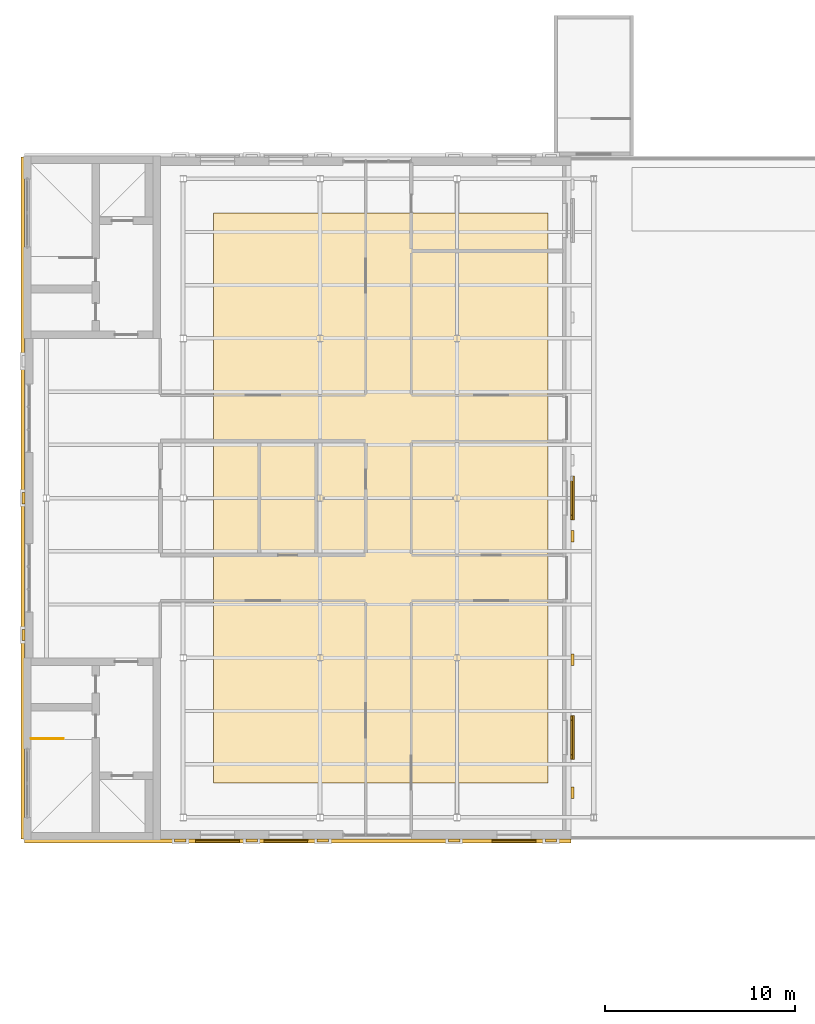
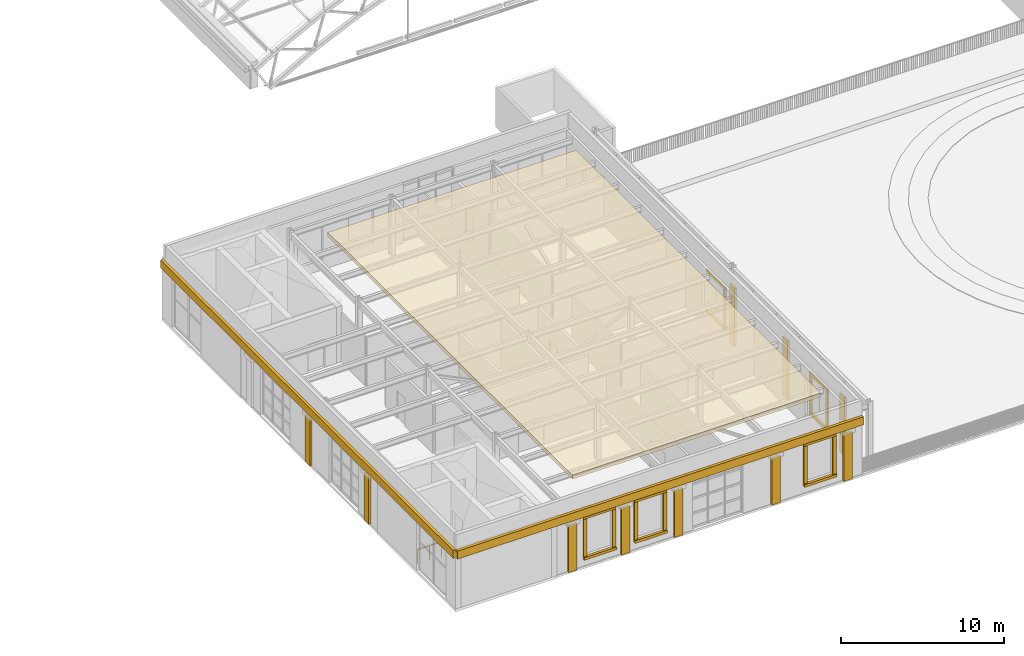
# One storey, part 119 of 127: 32 coverings, 1 railing.
"""IFC4 building model written with IfcOpenShell, lengths in metres."""

import ifcopenshell
import ifcopenshell.guid

model = None  # the IFC model being written
_history = None  # IfcOwnerHistory: only IFC2X3 demands one
_inside = {}  # id of a spatial element -> (the spatial element, [elements in it])
_under = {}  # id of a project, library or spatial element -> (it, [spatial elements below it])
_declared = {}  # id of a project -> (the project, [libraries it declares])
_typed = {}  # id of a type object -> (the type object, [elements of that type])
_made_of = {}  # id of a material, layer set ... -> (it, [elements and type objects made of it])


def new_model(schema):
    """Start an empty IFC model of exactly this schema.

    Asked for "IFC4X3", IfcOpenShell would pick the latest addendum, in which some entities
    have other attributes; the version numbers below select the first issue.
    IFC2X3 requires an IfcOwnerHistory on every rooted entity: one is made here for all.
    """
    global model, _history
    if schema == "IFC4X3":
        model = ifcopenshell.file(schema_version=(4, 3, 0, 0))
    else:
        model = ifcopenshell.file(schema=schema)
    _inside.clear()
    _under.clear()
    _declared.clear()
    _typed.clear()
    _made_of.clear()
    _history = None
    if model.schema == "IFC2X3":
        org = make("IfcOrganization", Name="unknown")
        user = make(
            "IfcPersonAndOrganization",
            ThePerson=make("IfcPerson", FamilyName="unknown"),
            TheOrganization=org,
        )
        app = make(
            "IfcApplication",
            ApplicationDeveloper=org,
            Version="unknown",
            ApplicationFullName="unknown",
            ApplicationIdentifier="unknown",
        )
        _history = make(
            "IfcOwnerHistory",
            OwningUser=user,
            OwningApplication=app,
            ChangeAction="ADDED",
            CreationDate=0,
        )
    return model


def make(cls, **values):
    """One entity of the class cls with the attributes given. An attribute that is None is left unset."""
    return model.create_entity(
        cls, **{name: value for name, value in values.items() if value is not None}
    )


def rooted(cls, **values):
    """An entity with a GlobalId (a new one), such as an element, a storey or a relation."""
    return make(cls, GlobalId=ifcopenshell.guid.new(), OwnerHistory=_history, **values)


def si_unit(unit_type, name, prefix=None):
    """IfcSIUnit, for example si_unit("LENGTHUNIT", "METRE", prefix="MILLI")."""
    return make("IfcSIUnit", UnitType=unit_type, Prefix=prefix, Name=name)


def assignment(units):
    """IfcUnitAssignment: the units of a project."""
    return None if units is None else make("IfcUnitAssignment", Units=units)


def point(xyz):
    """IfcCartesianPoint."""
    return None if xyz is None else make("IfcCartesianPoint", Coordinates=xyz)


def direction(xyz):
    """IfcDirection."""
    return None if xyz is None else make("IfcDirection", DirectionRatios=xyz)


def frame(location, z_axis=None, x_axis=None):
    """IfcAxis2Placement3D, a coordinate frame: its origin and axes. An axis left out is left unset."""
    return make(
        "IfcAxis2Placement3D",
        Location=point(location),
        Axis=direction(z_axis),
        RefDirection=direction(x_axis),
    )


def frame_2d(location, x_axis=None):
    """IfcAxis2Placement2D, a coordinate frame in the plane: its origin and x axis."""
    return make(
        "IfcAxis2Placement2D", Location=point(location), RefDirection=direction(x_axis)
    )


def origin():
    """The frame at (0, 0, 0) with its axes left unset."""
    return frame((0.0, 0.0, 0.0))


def origin_2d():
    """The frame at (0, 0) in the plane with its x axis left unset."""
    return frame_2d((0.0, 0.0))


def place(relative_to, where):
    """IfcLocalPlacement: puts the frame where relative to a parent placement (None: the world)."""
    return make(
        "IfcLocalPlacement", PlacementRelTo=relative_to, RelativePlacement=where
    )


def context(
    kind, dimensions, precision=None, world=None, true_north=None, identifier=None
):
    """IfcGeometricRepresentationContext, for example the 3D "Model" context."""
    return make(
        "IfcGeometricRepresentationContext",
        ContextIdentifier=identifier,
        ContextType=kind,
        CoordinateSpaceDimension=dimensions,
        Precision=precision,
        WorldCoordinateSystem=world,
        TrueNorth=true_north,
    )


def subcontext(parent, identifier, kind, view, scale=None):
    """IfcGeometricRepresentationSubContext, for example "Body" below "Model"."""
    return make(
        "IfcGeometricRepresentationSubContext",
        ContextIdentifier=identifier,
        ContextType=kind,
        ParentContext=parent,
        TargetScale=scale,
        TargetView=view,
    )


def project(units=None, contexts=None):
    """IfcProject with its units and contexts."""
    return rooted(
        "IfcProject",
        Name="project",
        RepresentationContexts=contexts,
        UnitsInContext=assignment(units),
    )


def spatial(cls, under=None, at=None, **own):
    """A site, building, storey or space (cls), placed at a placement, below another one or the project."""
    s = rooted(cls, ObjectPlacement=at, **own)
    if under is not None:
        _under.setdefault(under.id(), (under, []))[1].append(s)
    return s


def polyline(points):
    """IfcPolyline through the points."""
    return make("IfcPolyline", Points=[point(p) for p in points])


def profile(cls, at=None, kind="AREA", **sizes):
    """A parametric profile (cls). Its sizes go by their IFC names, for example OverallWidth=200.0."""
    return make(cls, ProfileType=kind, Position=at, **sizes)


def rectangle(**sizes):
    """IfcRectangleProfileDef."""
    return profile("IfcRectangleProfileDef", **sizes)


def circle(**sizes):
    """IfcCircleProfileDef."""
    return profile("IfcCircleProfileDef", **sizes)


def outline(outer, holes=None, kind="AREA"):
    """IfcArbitraryClosedProfileDef: a profile drawn as a closed curve; with holes, ...WithVoids."""
    if holes is None:
        return make("IfcArbitraryClosedProfileDef", ProfileType=kind, OuterCurve=outer)
    return make(
        "IfcArbitraryProfileDefWithVoids",
        ProfileType=kind,
        OuterCurve=outer,
        InnerCurves=holes,
    )


def extrude(swept, where, along, depth):
    """IfcExtrudedAreaSolid: the profile swept, set in the frame where, extruded along a direction by depth."""
    return make(
        "IfcExtrudedAreaSolid",
        SweptArea=swept,
        Position=where,
        ExtrudedDirection=direction(along),
        Depth=depth,
    )


def shape(context_of_items, identifier, shape_type, items):
    """IfcShapeRepresentation: the items that make up one representation, for example the "Body"."""
    return make(
        "IfcShapeRepresentation",
        ContextOfItems=context_of_items,
        RepresentationIdentifier=identifier,
        RepresentationType=shape_type,
        Items=items,
    )


def material(Name=None, Category=None):
    """IfcMaterial."""
    return make("IfcMaterial", Name=Name, Category=Category)


def layer(
    of_material, thickness, ventilated=None, Name=None, Category=None, Priority=None
):
    """IfcMaterialLayer: one layer of a wall or slab, of a material (None: an air gap)."""
    return make(
        "IfcMaterialLayer",
        Material=of_material,
        LayerThickness=thickness,
        IsVentilated=ventilated,
        Name=Name,
        Category=Category,
        Priority=Priority,
    )


def layer_set(layers, Name=None):
    """IfcMaterialLayerSet."""
    return make("IfcMaterialLayerSet", MaterialLayers=layers, LayerSetName=Name)


def made_of(thing, what):
    """Note that an element or type object is made of a material, layer set ...; save() writes the relation."""
    if what is not None:
        _made_of.setdefault(what.id(), (what, []))[1].append(thing)
    return thing


def type_object(cls, material=None, **own):
    """A type object (cls), such as IfcWallType, which elements share."""
    return made_of(rooted(cls, **own), material)


def element(
    cls,
    number,
    at=None,
    inside=None,
    cuts=None,
    type_object=None,
    material=None,
    context=None,
    identifier="Body",
    shape_type=None,
    held_by="IfcProductDefinitionShape",
    body=None,
    shapes=None,
    **own,
):
    """One element of the class cls, such as IfcWall. Its Tag is "e" and its number.

    at: its placement. inside: the storey or other place that contains it. cuts: it is an
    opening in that element (IfcRelVoidsElement). A single representation is given by context,
    identifier, shape_type and body (its items); several are given by shapes. held_by: the class
    of the entity that holds the representations. save() writes the other relations.
    """
    e = rooted(cls, Tag="e%d" % number, ObjectPlacement=at, **own)
    if body is not None:
        shapes = [shape(context, identifier, shape_type, body)]
    if shapes is not None:
        e.Representation = make(held_by, Representations=shapes)
    if inside is not None:
        _inside.setdefault(inside.id(), (inside, []))[1].append(e)
    if cuts is not None:
        rooted(
            "IfcRelVoidsElement", RelatingBuildingElement=cuts, RelatedOpeningElement=e
        )
    if type_object is not None:
        _typed.setdefault(type_object.id(), (type_object, []))[1].append(e)
    return made_of(e, material)


def aggregate(whole, parts):
    """IfcRelAggregates: a whole, such as a stair, and the parts it consists of."""
    return rooted("IfcRelAggregates", RelatingObject=whole, RelatedObjects=parts)


def save(model, path):
    """Write the relations noted so far, then the file.

    IfcRelAggregates (storeys below a building ...), IfcRelContainedInSpatialStructure (elements
    in a storey), IfcRelDefinesByType, IfcRelAssociatesMaterial and IfcRelDeclares: one each for
    every whole, place, type object, material and project.
    """
    for whole, parts in _under.values():
        aggregate(whole, parts)
    for where, things in _inside.values():
        rooted(
            "IfcRelContainedInSpatialStructure",
            RelatedElements=things,
            RelatingStructure=where,
        )
    for kind, things in _typed.values():
        rooted("IfcRelDefinesByType", RelatedObjects=things, RelatingType=kind)
    for what, things in _made_of.values():
        rooted("IfcRelAssociatesMaterial", RelatedObjects=things, RelatingMaterial=what)
    for by, libraries in _declared.values():
        rooted("IfcRelDeclares", RelatingContext=by, RelatedDefinitions=libraries)
    model.write(path)


model = new_model("IFC4")

# Units and contexts
model_context = context("Model", 3, precision=1e-05, world=origin(), true_north=direction((0.0, 1.0)))
body_context = subcontext(model_context, "Body", "Model", "MODEL_VIEW")
ifc_project = project(units=[si_unit("LENGTHUNIT", "METRE"), si_unit("AREAUNIT", "SQUARE_METRE"), si_unit("VOLUMEUNIT", "CUBIC_METRE"), si_unit("PLANEANGLEUNIT", "RADIAN"), si_unit("MASSUNIT", "GRAM", prefix="KILO")], contexts=[model_context])

# Site, building, storey
site_placement = place(None, origin())
site = spatial("IfcSite", under=ifc_project, at=site_placement, CompositionType="ELEMENT")
building_placement = place(site_placement, origin())
building = spatial("IfcBuilding", under=site, at=building_placement, Name="Verrick Yard Athletic Hall", CompositionType="ELEMENT")
storey_placement = place(building_placement, frame((0.0, 0.0, 14.0)))
storey = spatial("IfcBuildingStorey", under=building, at=storey_placement, Name="L03", CompositionType="ELEMENT", Elevation=14.0)

# Covering
ifc_material_1 = material(Name="Planted growing medium")
ifc_layer_1 = layer(ifc_material_1, 0.300048828125)
ifc_layer_set_1 = layer_set([ifc_layer_1], Name="Green roof soil")
covering_type_1 = type_object("IfcCoveringType", Name="Green roof soil", PredefinedType="FLOORING", material=ifc_layer_set_1)
covering_1_placement = place(storey_placement, frame((0.0, 0.0, 4.39990234375)))
element("IfcCovering", 1, at=covering_1_placement, inside=storey, type_object=covering_type_1, Name="Roof garden planting", PredefinedType="FLOORING", context=body_context, shape_type="SweptSolid", body=[
    extrude(outline(polyline([(20.0, 21.0), (37.60009765625, 21.0), (37.60009765625, 51.0), (20.0, 51.0), (20.0, 21.0)])), origin(), (0.0, 0.0, 1.0), 0.300048828125),
])

# Railing
ifc_material_2 = material(Name="Stainless steel", Category="steel")
railing_type = type_object("IfcRailingType", Name="Stair and core guard 1100", PredefinedType="GUARDRAIL", material=ifc_material_2)
railing_placement = place(storey_placement, frame((10.39990234375, 23.35009765625, 0.0)))
element("IfcRailing", 2, at=railing_placement, inside=storey, type_object=railing_type, Name="L03 Wing south-west top well guard 1", PredefinedType="GUARDRAIL", context=body_context, shape_type="SweptSolid", body=[
    extrude(circle(Radius=0.02392578125, at=origin_2d()), frame((0.0, 0.0, 1.076171875), z_axis=(1.0, 0.0, 0.0), x_axis=(0.0, 1.0, 0.0)), (0.0, 0.0, 1.0), 1.7001953125),
    extrude(circle(Radius=0.02099609375, at=origin_2d()), origin(), (0.0, 0.0, 1.0), 1.052001953125),
    extrude(circle(Radius=0.02099609375, at=origin_2d()), frame((0.85009765625, 0.0, 0.0)), (0.0, 0.0, 1.0), 1.052001953125),
    extrude(circle(Radius=0.02099609375, at=origin_2d()), frame((1.7001953125, 0.0, 0.0)), (0.0, 0.0, 1.0), 1.052001953125),
])

# Coverings
ifc_material_3 = material(Name="Tyndall-stone-look precast cladding", Category="masonry")
ifc_layer_2 = layer(ifc_material_3, 0.125)
ifc_layer_set_2 = layer_set([ifc_layer_2], Name="Stone cladding")
covering_type_2 = type_object("IfcCoveringType", Name="Stone cladding", PredefinedType="CLADDING", material=ifc_layer_set_2)
for number, where, z_axis, x_axis, name in (
    (3, (18.25, 17.987548828125, 0.0), (0.0, 0.0, 1.0), (1.0, 0.0, 0.0), "Wing pilaster"),
    (4, (22.0, 17.987548828125, 0.0), (0.0, 0.0, 1.0), (1.0, 0.0, 0.0), "Wing pilaster"),
    (5, (25.75, 17.987548828125, 0.0), (0.0, 0.0, 1.0), (1.0, 0.0, 0.0), "Wing pilaster"),
    (6, (32.64990234375, 17.987548828125, 0.0), (0.0, 0.0, 1.0), (1.0, 0.0, 0.0), "Wing pilaster"),
    (7, (37.75, 17.987548828125, 0.0), (0.0, 0.0, 1.0), (1.0, 0.0, 0.0), "Wing pilaster"),
    (8, (9.987548828125, 28.800048828125, 0.0), (0.0, 0.0, 1.0), (0.0, 1.0, 0.0), "Wing pilaster"),
    (9, (9.987548828125, 36.0, 0.0), (0.0, 0.0, 1.0), (0.0, 1.0, 0.0), "Wing pilaster"),
):
    element("IfcCovering", number, at=place(storey_placement, frame(where, z_axis=z_axis, x_axis=x_axis)), inside=storey, type_object=covering_type_2, Name=name, PredefinedType="CLADDING", context=body_context, shape_type="SweptSolid", body=[
        extrude(rectangle(XDim=0.60009765625, YDim=0.14990234375, at=origin_2d()), origin(), (0.0, 0.0, 1.0), 3.5),
    ])
for number, where, z_axis, x_axis, name in (
    (10, (38.875, 20.5, 0.0), (0.0, 0.0, 1.0), (0.0, 1.0, 0.0), "Wing pilaster"),
    (11, (38.875, 27.5, 0.0), (0.0, 0.0, 1.0), (0.0, 1.0, 0.0), "Wing pilaster"),
    (12, (38.875, 34.0, 0.0), (0.0, 0.0, 1.0), (0.0, 1.0, 0.0), "Wing pilaster"),
):
    element("IfcCovering", number, at=place(storey_placement, frame(where, z_axis=z_axis, x_axis=x_axis)), inside=storey, type_object=covering_type_2, Name=name, PredefinedType="CLADDING", context=body_context, shape_type="SweptSolid", body=[
        extrude(rectangle(XDim=0.60009765625, YDim=0.14990234375, at=origin_2d()), origin(), (0.0, 0.0, 1.0), 4.39990234375),
    ])
ifc_layer_3 = layer(ifc_material_3, 0.25)
ifc_layer_set_3 = layer_set([ifc_layer_3], Name="Stone moulding")
covering_type_3 = type_object("IfcCoveringType", Name="Stone moulding", PredefinedType="MOLDING", material=ifc_layer_set_3)
covering_2_placement = place(storey_placement, frame((24.43115234375, 17.96240234375, 3.800048828125), z_axis=(0.0, 0.0, 1.0), x_axis=(1.0, 0.0, 0.0)))
element("IfcCovering", 13, at=covering_2_placement, inside=storey, type_object=covering_type_3, Name="Wing cornice S", PredefinedType="MOLDING", context=body_context, shape_type="SweptSolid", body=[
    extrude(rectangle(XDim=28.737548828125, YDim=0.199951171875, at=origin_2d()), origin(), (0.0, 0.0, 1.0), 0.60009765625),
])
covering_3_placement = place(storey_placement, frame((9.96240234375, 36.0, 3.800048828125), z_axis=(0.0, 0.0, 1.0), x_axis=(1.0, 0.0, 0.0)))
element("IfcCovering", 14, at=covering_3_placement, inside=storey, type_object=covering_type_3, Name="Wing cornice W", PredefinedType="MOLDING", context=body_context, shape_type="SweptSolid", body=[
    extrude(rectangle(XDim=0.199951171875, YDim=35.875, at=origin_2d()), origin(), (0.0, 0.0, 1.0), 0.60009765625),
])
covering_4_placement = place(storey_placement, frame((20.199951171875, 17.972412109375, 0.5498046875), z_axis=(0.0, 0.0, 1.0), x_axis=(1.0, 0.0, 0.0)))
element("IfcCovering", 15, at=covering_4_placement, inside=storey, type_object=covering_type_3, Name="Window sill", PredefinedType="MOLDING", context=body_context, shape_type="SweptSolid", body=[
    extrude(rectangle(XDim=2.300048828125, YDim=0.179931640625, at=origin_2d()), origin(), (0.0, 0.0, 1.0), 0.199951171875),
])
covering_5_placement = place(storey_placement, frame((20.199951171875, 18.012451171875, 3.5498046875), z_axis=(0.0, 0.0, 1.0), x_axis=(1.0, 0.0, 0.0)))
element("IfcCovering", 16, at=covering_5_placement, inside=storey, type_object=covering_type_3, Name="Window head", PredefinedType="MOLDING", context=body_context, shape_type="SweptSolid", body=[
    extrude(rectangle(XDim=2.300048828125, YDim=0.10009765625, at=origin_2d()), origin(), (0.0, 0.0, 1.0), 0.199951171875),
])
for number, where, z_axis, x_axis, name in (
    (17, (19.175048828125, 18.012451171875, 0.75), (0.0, 0.0, 1.0), (1.0, 0.0, 0.0), "Window jamb"),
    (18, (21.22509765625, 18.012451171875, 0.75), (0.0, 0.0, 1.0), (1.0, 0.0, 0.0), "Window jamb"),
):
    element("IfcCovering", number, at=place(storey_placement, frame(where, z_axis=z_axis, x_axis=x_axis)), inside=storey, type_object=covering_type_3, Name=name, PredefinedType="MOLDING", context=body_context, shape_type="SweptSolid", body=[
        extrude(rectangle(XDim=0.25, YDim=0.10009765625, at=origin_2d()), origin(), (0.0, 0.0, 1.0), 2.800048828125),
    ])
covering_6_placement = place(storey_placement, frame((23.800048828125, 17.972412109375, 0.5498046875), z_axis=(0.0, 0.0, 1.0), x_axis=(1.0, 0.0, 0.0)))
element("IfcCovering", 19, at=covering_6_placement, inside=storey, type_object=covering_type_3, Name="Window sill", PredefinedType="MOLDING", context=body_context, shape_type="SweptSolid", body=[
    extrude(rectangle(XDim=2.300048828125, YDim=0.179931640625, at=origin_2d()), origin(), (0.0, 0.0, 1.0), 0.199951171875),
])
covering_7_placement = place(storey_placement, frame((23.800048828125, 18.012451171875, 3.5498046875), z_axis=(0.0, 0.0, 1.0), x_axis=(1.0, 0.0, 0.0)))
element("IfcCovering", 20, at=covering_7_placement, inside=storey, type_object=covering_type_3, Name="Window head", PredefinedType="MOLDING", context=body_context, shape_type="SweptSolid", body=[
    extrude(rectangle(XDim=2.300048828125, YDim=0.10009765625, at=origin_2d()), origin(), (0.0, 0.0, 1.0), 0.199951171875),
])
for number, where, z_axis, x_axis, name in (
    (21, (22.77490234375, 18.012451171875, 0.75), (0.0, 0.0, 1.0), (1.0, 0.0, 0.0), "Window jamb"),
    (22, (24.824951171875, 18.012451171875, 0.75), (0.0, 0.0, 1.0), (1.0, 0.0, 0.0), "Window jamb"),
):
    element("IfcCovering", number, at=place(storey_placement, frame(where, z_axis=z_axis, x_axis=x_axis)), inside=storey, type_object=covering_type_3, Name=name, PredefinedType="MOLDING", context=body_context, shape_type="SweptSolid", body=[
        extrude(rectangle(XDim=0.25, YDim=0.10009765625, at=origin_2d()), origin(), (0.0, 0.0, 1.0), 2.800048828125),
    ])
covering_8_placement = place(storey_placement, frame((35.800048828125, 17.972412109375, 0.5498046875), z_axis=(0.0, 0.0, 1.0), x_axis=(1.0, 0.0, 0.0)))
element("IfcCovering", 23, at=covering_8_placement, inside=storey, type_object=covering_type_3, Name="Window sill", PredefinedType="MOLDING", context=body_context, shape_type="SweptSolid", body=[
    extrude(rectangle(XDim=2.300048828125, YDim=0.179931640625, at=origin_2d()), origin(), (0.0, 0.0, 1.0), 0.199951171875),
])
covering_9_placement = place(storey_placement, frame((35.800048828125, 18.012451171875, 3.5498046875), z_axis=(0.0, 0.0, 1.0), x_axis=(1.0, 0.0, 0.0)))
element("IfcCovering", 24, at=covering_9_placement, inside=storey, type_object=covering_type_3, Name="Window head", PredefinedType="MOLDING", context=body_context, shape_type="SweptSolid", body=[
    extrude(rectangle(XDim=2.300048828125, YDim=0.10009765625, at=origin_2d()), origin(), (0.0, 0.0, 1.0), 0.199951171875),
])
for number, where, z_axis, x_axis, name in (
    (25, (34.77490234375, 18.012451171875, 0.75), (0.0, 0.0, 1.0), (1.0, 0.0, 0.0), "Window jamb"),
    (26, (36.824951171875, 18.012451171875, 0.75), (0.0, 0.0, 1.0), (1.0, 0.0, 0.0), "Window jamb"),
):
    element("IfcCovering", number, at=place(storey_placement, frame(where, z_axis=z_axis, x_axis=x_axis)), inside=storey, type_object=covering_type_3, Name=name, PredefinedType="MOLDING", context=body_context, shape_type="SweptSolid", body=[
        extrude(rectangle(XDim=0.25, YDim=0.10009765625, at=origin_2d()), origin(), (0.0, 0.0, 1.0), 2.800048828125),
    ])
covering_10_placement = place(storey_placement, frame((38.889892578125, 36.0, 0.5498046875), z_axis=(0.0, 0.0, 1.0), x_axis=(0.0, 1.0, 0.0)))
element("IfcCovering", 27, at=covering_10_placement, inside=storey, type_object=covering_type_3, Name="Window sill", PredefinedType="MOLDING", context=body_context, shape_type="SweptSolid", body=[
    extrude(rectangle(XDim=2.300048828125, YDim=0.179931640625, at=origin_2d()), origin(), (0.0, 0.0, 1.0), 0.199951171875),
])
covering_11_placement = place(storey_placement, frame((38.85009765625, 36.0, 3.5498046875), z_axis=(0.0, 0.0, 1.0), x_axis=(0.0, 1.0, 0.0)))
element("IfcCovering", 28, at=covering_11_placement, inside=storey, type_object=covering_type_3, Name="Window head", PredefinedType="MOLDING", context=body_context, shape_type="SweptSolid", body=[
    extrude(rectangle(XDim=2.300048828125, YDim=0.10009765625, at=origin_2d()), origin(), (0.0, 0.0, 1.0), 0.199951171875),
])
covering_12_placement = place(storey_placement, frame((38.85009765625, 34.97509765625, 0.75), z_axis=(0.0, 0.0, 1.0), x_axis=(0.0, 1.0, 0.0)))
element("IfcCovering", 29, at=covering_12_placement, inside=storey, type_object=covering_type_3, Name="Window jamb", PredefinedType="MOLDING", context=body_context, shape_type="SweptSolid", body=[
    extrude(rectangle(XDim=0.25, YDim=0.10009765625, at=origin_2d()), origin(), (0.0, 0.0, 1.0), 2.800048828125),
])
covering_13_placement = place(storey_placement, frame((38.889892578125, 23.39990234375, 0.5498046875), z_axis=(0.0, 0.0, 1.0), x_axis=(0.0, 1.0, 0.0)))
element("IfcCovering", 30, at=covering_13_placement, inside=storey, type_object=covering_type_3, Name="Window sill", PredefinedType="MOLDING", context=body_context, shape_type="SweptSolid", body=[
    extrude(rectangle(XDim=2.300048828125, YDim=0.179931640625, at=origin_2d()), origin(), (0.0, 0.0, 1.0), 0.199951171875),
])
covering_14_placement = place(storey_placement, frame((38.85009765625, 23.39990234375, 3.5498046875), z_axis=(0.0, 0.0, 1.0), x_axis=(0.0, 1.0, 0.0)))
element("IfcCovering", 31, at=covering_14_placement, inside=storey, type_object=covering_type_3, Name="Window head", PredefinedType="MOLDING", context=body_context, shape_type="SweptSolid", body=[
    extrude(rectangle(XDim=2.300048828125, YDim=0.10009765625, at=origin_2d()), origin(), (0.0, 0.0, 1.0), 0.199951171875),
])
for number, where, z_axis, x_axis, name in (
    (32, (38.85009765625, 22.375, 0.75), (0.0, 0.0, 1.0), (0.0, 1.0, 0.0), "Window jamb"),
    (33, (38.85009765625, 24.425048828125, 0.75), (0.0, 0.0, 1.0), (0.0, 1.0, 0.0), "Window jamb"),
):
    element("IfcCovering", number, at=place(storey_placement, frame(where, z_axis=z_axis, x_axis=x_axis)), inside=storey, type_object=covering_type_3, Name=name, PredefinedType="MOLDING", context=body_context, shape_type="SweptSolid", body=[
        extrude(rectangle(XDim=0.25, YDim=0.10009765625, at=origin_2d()), origin(), (0.0, 0.0, 1.0), 2.800048828125),
    ])

save(model, "model.ifc")
